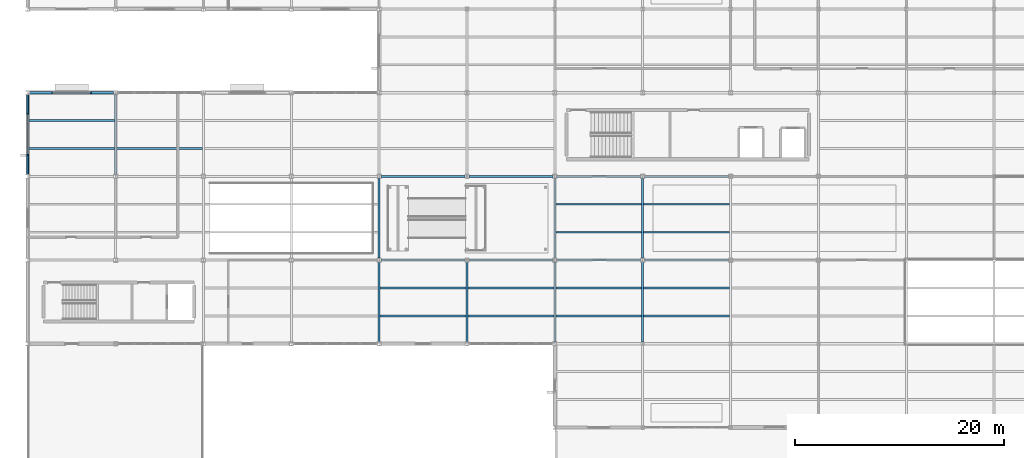
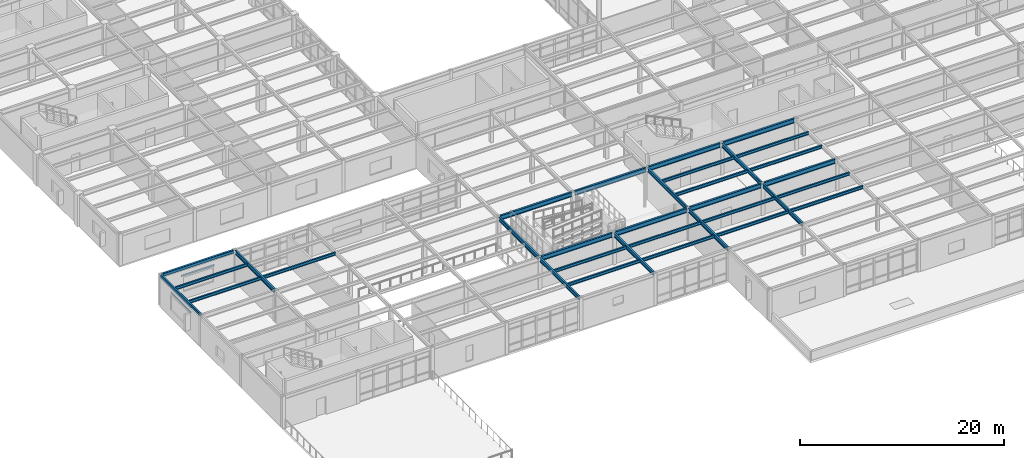
# One storey, part 22 of 138: 35 beams.
"""IFC4 building model written with IfcOpenShell, lengths in metres."""

from ifc_helpers import new_model, si_unit, direction, frame, origin, origin_2d, place, context, subcontext, project, spatial, hollow_rectangle, i_section, u_section, extrude, material, material_profile, profile_set, type_object, element, save


model = new_model("IFC4")

# Units and contexts
model_context = context("Model", 3, precision=1e-05, world=origin(), true_north=direction((0.0, 1.0)))
body_context = subcontext(model_context, "Body", "Model", "MODEL_VIEW")
ifc_project = project(units=[si_unit("LENGTHUNIT", "METRE"), si_unit("AREAUNIT", "SQUARE_METRE"), si_unit("VOLUMEUNIT", "CUBIC_METRE"), si_unit("PLANEANGLEUNIT", "RADIAN"), si_unit("MASSUNIT", "GRAM", prefix="KILO")], contexts=[model_context])

# Site, building, storey
site_placement = place(None, origin())
site = spatial("IfcSite", under=ifc_project, at=site_placement, CompositionType="ELEMENT")
building_placement = place(site_placement, origin())
building = spatial("IfcBuilding", under=site, at=building_placement, Name="Kranzveld Transit Interchange", CompositionType="ELEMENT")
storey_placement = place(building_placement, frame((0.0, 0.0, 5.43994140625)))
storey = spatial("IfcBuildingStorey", under=building, at=storey_placement, Name="L01", CompositionType="ELEMENT", Elevation=5.43994140625)

# Beams
ifc_material_1 = material(Name="Steel S355JR", Category="steel")
ifc_material_profile_1 = material_profile(ifc_material_1, i_section(OverallWidth=0.19189453125, OverallDepth=0.46337890625, WebThickness=0.010498046875, FlangeThickness=0.017578125, FilletRadius=0.01025390625, at=origin_2d()), Name="UB 457x191x89")
ifc_profile_set_1 = profile_set([ifc_material_profile_1], Name="Steel S355JR")
beam_type_1 = type_object("IfcBeamType", Name="Beam Steel UB 457x191x89 S355JR", PredefinedType="BEAM", material=ifc_profile_set_1)
for number, where, z_axis, x_axis, name in (
    (1, (8.39990234375, 32.17724609375, 3.568359375), (0.0, 1.0, 0.0), (-1.0, 0.0, 0.0), "L01 Girder 02/E-F"),
    (2, (33.60009765625, 16.17724609375, 3.568359375), (0.0, 1.0, 0.0), (-1.0, 0.0, 0.0), "L01 Girder 05/C-D"),
    (3, (33.60009765625, 24.17724609375, 3.568359375), (0.0, 1.0, 0.0), (-1.0, 0.0, 0.0), "L01 Girder 05/D-E"),
    (4, (42.0, 16.17724609375, 3.568359375), (0.0, 1.0, 0.0), (-1.0, 0.0, 0.0), "L01 Girder 06/C-D"),
    (5, (50.39990234375, 16.17724609375, 3.568359375), (0.0, 1.0, 0.0), (-1.0, 0.0, 0.0), "L01 Girder 07/C-D"),
    (6, (50.39990234375, 24.17724609375, 3.568359375), (0.0, 1.0, 0.0), (-1.0, 0.0, 0.0), "L01 Girder 07/D-E"),
):
    element("IfcBeam", number, at=place(storey_placement, frame(where, z_axis=z_axis, x_axis=x_axis)), inside=storey, type_object=beam_type_1, Name=name, PredefinedType="BEAM", context=body_context, shape_type="SweptSolid", body=[
        extrude(i_section(OverallWidth=0.19189453125, OverallDepth=0.46337890625, WebThickness=0.010498046875, FlangeThickness=0.017578125, FilletRadius=0.01025390625, at=origin_2d()), origin(), (0.0, 0.0, 1.0), 7.6455078125),
    ])
beam_1_placement = place(storey_placement, frame((58.800048828125, 16.150146484375, 3.568359375), z_axis=(0.0, 1.0, 0.0), x_axis=(-1.0, 0.0, 0.0)))
element("IfcBeam", 7, at=beam_1_placement, inside=storey, type_object=beam_type_1, Name="L01 Girder 08/C-D", PredefinedType="BEAM", context=body_context, shape_type="SweptSolid", body=[
    extrude(i_section(OverallWidth=0.19189453125, OverallDepth=0.46337890625, WebThickness=0.010498046875, FlangeThickness=0.017578125, FilletRadius=0.01025390625, at=origin_2d()), origin(), (0.0, 0.0, 1.0), 7.672607421875),
])
beam_2_placement = place(storey_placement, frame((58.800048828125, 24.17724609375, 3.568359375), z_axis=(0.0, 1.0, 0.0), x_axis=(-1.0, 0.0, 0.0)))
element("IfcBeam", 8, at=beam_2_placement, inside=storey, type_object=beam_type_1, Name="L01 Girder 08/D-E", PredefinedType="BEAM", context=body_context, shape_type="SweptSolid", body=[
    extrude(i_section(OverallWidth=0.19189453125, OverallDepth=0.46337890625, WebThickness=0.010498046875, FlangeThickness=0.017578125, FilletRadius=0.01025390625, at=origin_2d()), origin(), (0.0, 0.0, 1.0), 7.6455078125),
])
ifc_material_2 = material(Name="Steel S355JR", Category="steel")
ifc_material_profile_2 = material_profile(ifc_material_2, hollow_rectangle(XDim=0.199951171875, YDim=0.300048828125, WallThickness=0.010009765625, InnerFilletRadius=0.014892578125, OuterFilletRadius=0.02490234375, at=origin_2d()), Name="RHS 300x200x10")
ifc_profile_set_2 = profile_set([ifc_material_profile_2], Name="Steel S355JR")
beam_type_2 = type_object("IfcBeamType", Name="Edge Spandrel RHS 300x200x10 S355JR", PredefinedType="SPANDREL", material=ifc_profile_set_2)
beam_3_placement = place(storey_placement, frame((0.0, 32.17724609375, 3.650146484375), z_axis=(0.0, 1.0, 0.0), x_axis=(-1.0, 0.0, 0.0)))
element("IfcBeam", 9, at=beam_3_placement, inside=storey, type_object=beam_type_2, Name="L01 Girder 01/E-F", PredefinedType="SPANDREL", context=body_context, shape_type="SweptSolid", body=[
    extrude(hollow_rectangle(XDim=0.199951171875, YDim=0.300048828125, WallThickness=0.010009765625, InnerFilletRadius=0.014892578125, OuterFilletRadius=0.02490234375, at=origin_2d()), origin(), (0.0, 0.0, 1.0), 7.6455078125),
])
ifc_material_3 = material(Name="Steel S355JR", Category="steel")
ifc_material_profile_3 = material_profile(ifc_material_3, hollow_rectangle(XDim=0.25, YDim=0.35009765625, WallThickness=0.012451171875, InnerFilletRadius=0.018798828125, OuterFilletRadius=0.03125, at=origin_2d()), Name="RHS 350x250x12.5")
ifc_profile_set_3 = profile_set([ifc_material_profile_3], Name="Steel S355JR")
beam_type_3 = type_object("IfcBeamType", Name="Edge Spandrel RHS 350x250x12.5 S355JR", PredefinedType="SPANDREL", material=ifc_profile_set_3)
beam_4_placement = place(storey_placement, frame((0.17724609375, 40.0, 3.625), z_axis=(1.0, 0.0, 0.0), x_axis=(0.0, 1.0, 0.0)))
element("IfcBeam", 10, at=beam_4_placement, inside=storey, type_object=beam_type_3, Name="L01 Girder 01-02/F", PredefinedType="SPANDREL", context=body_context, shape_type="SweptSolid", body=[
    extrude(hollow_rectangle(XDim=0.25, YDim=0.35009765625, WallThickness=0.012451171875, InnerFilletRadius=0.018798828125, OuterFilletRadius=0.03125, at=origin_2d()), origin(), (0.0, 0.0, 1.0), 8.04541015625),
])
ifc_material_4 = material(Name="Steel S355JR", Category="steel")
ifc_material_profile_4 = material_profile(ifc_material_4, i_section(OverallWidth=0.172119140625, OverallDepth=0.35791015625, WebThickness=0.008056640625, FlangeThickness=0.012939453125, FilletRadius=0.01025390625, at=origin_2d()), Name="UB 356x171x57")
ifc_profile_set_4 = profile_set([ifc_material_profile_4], Name="Steel S355JR")
beam_type_4 = type_object("IfcBeamType", Name="Floor Joist UB 356x171x57 S355JR", PredefinedType="JOIST", material=ifc_profile_set_4)
for number, where, z_axis, x_axis, name in (
    (11, (0.10205078125, 34.666748046875, 3.62109375), (1.0, 0.0, 0.0), (0.0, 1.0, 0.0), "L01 Secondary Joist 01-02/E.1"),
    (12, (0.10205078125, 37.333251953125, 3.62109375), (1.0, 0.0, 0.0), (0.0, 1.0, 0.0), "L01 Secondary Joist 01-02/E.2"),
):
    element("IfcBeam", number, at=place(storey_placement, frame(where, z_axis=z_axis, x_axis=x_axis)), inside=storey, type_object=beam_type_4, Name=name, PredefinedType="JOIST", context=body_context, shape_type="SweptSolid", body=[
        extrude(i_section(OverallWidth=0.172119140625, OverallDepth=0.35791015625, WebThickness=0.008056640625, FlangeThickness=0.012939453125, FilletRadius=0.01025390625, at=origin_2d()), origin(), (0.0, 0.0, 1.0), 8.199951171875),
    ])
for number, where, z_axis, x_axis, name in (
    (13, (8.498046875, 34.666748046875, 3.62109375), (1.0, 0.0, 0.0), (0.0, 1.0, 0.0), "L01 Secondary Joist 02-03/E.1"),
    (14, (33.697998046875, 18.666748046875, 3.62109375), (1.0, 0.0, 0.0), (0.0, 1.0, 0.0), "L01 Secondary Joist 05-06/C.1"),
    (15, (33.697998046875, 21.333251953125, 3.62109375), (1.0, 0.0, 0.0), (0.0, 1.0, 0.0), "L01 Secondary Joist 05-06/C.2"),
    (16, (42.097900390625, 18.666748046875, 3.62109375), (1.0, 0.0, 0.0), (0.0, 1.0, 0.0), "L01 Secondary Joist 06-07/C.1"),
    (17, (42.097900390625, 21.333251953125, 3.62109375), (1.0, 0.0, 0.0), (0.0, 1.0, 0.0), "L01 Secondary Joist 06-07/C.2"),
    (18, (50.498046875, 18.666748046875, 3.62109375), (1.0, 0.0, 0.0), (0.0, 1.0, 0.0), "L01 Secondary Joist 07-08/C.1"),
    (19, (50.498046875, 21.333251953125, 3.62109375), (1.0, 0.0, 0.0), (0.0, 1.0, 0.0), "L01 Secondary Joist 07-08/C.2"),
    (20, (50.498046875, 26.666748046875, 3.62109375), (1.0, 0.0, 0.0), (0.0, 1.0, 0.0), "L01 Secondary Joist 07-08/D.1"),
    (21, (50.498046875, 29.333251953125, 3.62109375), (1.0, 0.0, 0.0), (0.0, 1.0, 0.0), "L01 Secondary Joist 07-08/D.2"),
    (22, (58.89794921875, 18.666748046875, 3.62109375), (1.0, 0.0, 0.0), (0.0, 1.0, 0.0), "L01 Secondary Joist 08-09/C.1"),
    (23, (58.89794921875, 21.333251953125, 3.62109375), (1.0, 0.0, 0.0), (0.0, 1.0, 0.0), "L01 Secondary Joist 08-09/C.2"),
    (24, (58.89794921875, 26.666748046875, 3.62109375), (1.0, 0.0, 0.0), (0.0, 1.0, 0.0), "L01 Secondary Joist 08-09/D.1"),
    (25, (58.89794921875, 29.333251953125, 3.62109375), (1.0, 0.0, 0.0), (0.0, 1.0, 0.0), "L01 Secondary Joist 08-09/D.2"),
):
    element("IfcBeam", number, at=place(storey_placement, frame(where, z_axis=z_axis, x_axis=x_axis)), inside=storey, type_object=beam_type_4, Name=name, PredefinedType="JOIST", context=body_context, shape_type="SweptSolid", body=[
        extrude(i_section(OverallWidth=0.172119140625, OverallDepth=0.35791015625, WebThickness=0.008056640625, FlangeThickness=0.012939453125, FilletRadius=0.01025390625, at=origin_2d()), origin(), (0.0, 0.0, 1.0), 8.2041015625),
    ])
ifc_material_5 = material(Name="Steel S355JR", Category="steel")
ifc_material_profile_5 = material_profile(ifc_material_5, i_section(OverallWidth=0.210693359375, OverallDepth=0.53955078125, WebThickness=0.01171875, FlangeThickness=0.018798828125, FilletRadius=0.0126953125, at=origin_2d()), Name="UB 533x210x109")
ifc_profile_set_5 = profile_set([ifc_material_profile_5], Name="Steel S355JR")
beam_type_5 = type_object("IfcBeamType", Name="Girder Steel UB 533x210x109 S355JR", PredefinedType="BEAM", material=ifc_profile_set_5)
for number, where, z_axis, x_axis, name in (
    (26, (33.77734375, 24.0, 3.5302734375), (1.0, 0.0, 0.0), (0.0, 1.0, 0.0), "L01 Girder 05-06/D"),
    (27, (42.17724609375, 24.0, 3.5302734375), (1.0, 0.0, 0.0), (0.0, 1.0, 0.0), "L01 Girder 06-07/D"),
    (28, (50.577392578125, 24.0, 3.5302734375), (1.0, 0.0, 0.0), (0.0, 1.0, 0.0), "L01 Girder 07-08/D"),
    (29, (58.977294921875, 24.0, 3.5302734375), (1.0, 0.0, 0.0), (0.0, 1.0, 0.0), "L01 Girder 08-09/D"),
    (30, (33.77734375, 32.0, 3.5302734375), (1.0, 0.0, 0.0), (0.0, 1.0, 0.0), "L01 Girder 05-06/E"),
    (31, (42.17724609375, 32.0, 3.5302734375), (1.0, 0.0, 0.0), (0.0, 1.0, 0.0), "L01 Girder 06-07/E"),
    (32, (50.577392578125, 32.0, 3.5302734375), (1.0, 0.0, 0.0), (0.0, 1.0, 0.0), "L01 Girder 07-08/E"),
    (33, (58.977294921875, 32.0, 3.5302734375), (1.0, 0.0, 0.0), (0.0, 1.0, 0.0), "L01 Girder 08-09/E"),
):
    element("IfcBeam", number, at=place(storey_placement, frame(where, z_axis=z_axis, x_axis=x_axis)), inside=storey, type_object=beam_type_5, Name=name, PredefinedType="BEAM", context=body_context, shape_type="SweptSolid", body=[
        extrude(i_section(OverallWidth=0.210693359375, OverallDepth=0.53955078125, WebThickness=0.01171875, FlangeThickness=0.018798828125, FilletRadius=0.0126953125, at=origin_2d()), origin(), (0.0, 0.0, 1.0), 8.04541015625),
    ])
ifc_material_6 = material(Name="Steel S355JR", Category="steel")
ifc_material_profile_6 = material_profile(ifc_material_6, u_section(Depth=0.179931640625, FlangeWidth=0.070068359375, WebThickness=0.007080078125, FlangeThickness=0.010986328125, FilletRadius=0.010009765625, at=origin_2d()), Name="PFC 180x70x22")
ifc_profile_set_6 = profile_set([ifc_material_profile_6], Name="Steel S355JR")
beam_type_6 = type_object("IfcBeamType", Name="Masonry Lintel PFC 180x70x22 S355JR", PredefinedType="LINTEL", material=ifc_profile_set_6)
beam_5_placement = place(storey_placement, frame((0.0, 34.02001953125, 2.795166015625), z_axis=(0.0, 1.0, 0.0), x_axis=(-1.0, 0.0, 0.0)))
element("IfcBeam", 34, at=beam_5_placement, inside=storey, type_object=beam_type_6, Name="L01 Window Lintel 061", PredefinedType="LINTEL", context=body_context, shape_type="SweptSolid", body=[
    extrude(u_section(Depth=0.179931640625, FlangeWidth=0.070068359375, WebThickness=0.007080078125, FlangeThickness=0.010986328125, FilletRadius=0.010009765625, at=origin_2d()), origin(), (0.0, 0.0, 1.0), 3.9599609375),
])
ifc_material_7 = material(Name="Steel S355JR", Category="steel")
ifc_material_profile_7 = material_profile(ifc_material_7, i_section(OverallWidth=0.10009765625, OverallDepth=0.199951171875, WebThickness=0.005615234375, FlangeThickness=0.008544921875, FilletRadius=0.011962890625, at=origin_2d()), Name="IPE 200")
ifc_profile_set_7 = profile_set([ifc_material_profile_7], Name="Steel S355JR")
beam_type_7 = type_object("IfcBeamType", Name="Opening Lintel IPE 200 S355JR", PredefinedType="LINTEL", material=ifc_profile_set_7)
beam_6_placement = place(storey_placement, frame((2.320068359375, 40.0, 2.705078125), z_axis=(1.0, 0.0, 0.0), x_axis=(0.0, 1.0, 0.0)))
element("IfcBeam", 35, at=beam_6_placement, inside=storey, type_object=beam_type_7, Name="L01 Window Lintel 062", PredefinedType="LINTEL", context=body_context, shape_type="SweptSolid", body=[
    extrude(i_section(OverallWidth=0.10009765625, OverallDepth=0.199951171875, WebThickness=0.005615234375, FlangeThickness=0.008544921875, FilletRadius=0.011962890625, at=origin_2d()), origin(), (0.0, 0.0, 1.0), 3.760009765625),
])

save(model, "model.ifc")
